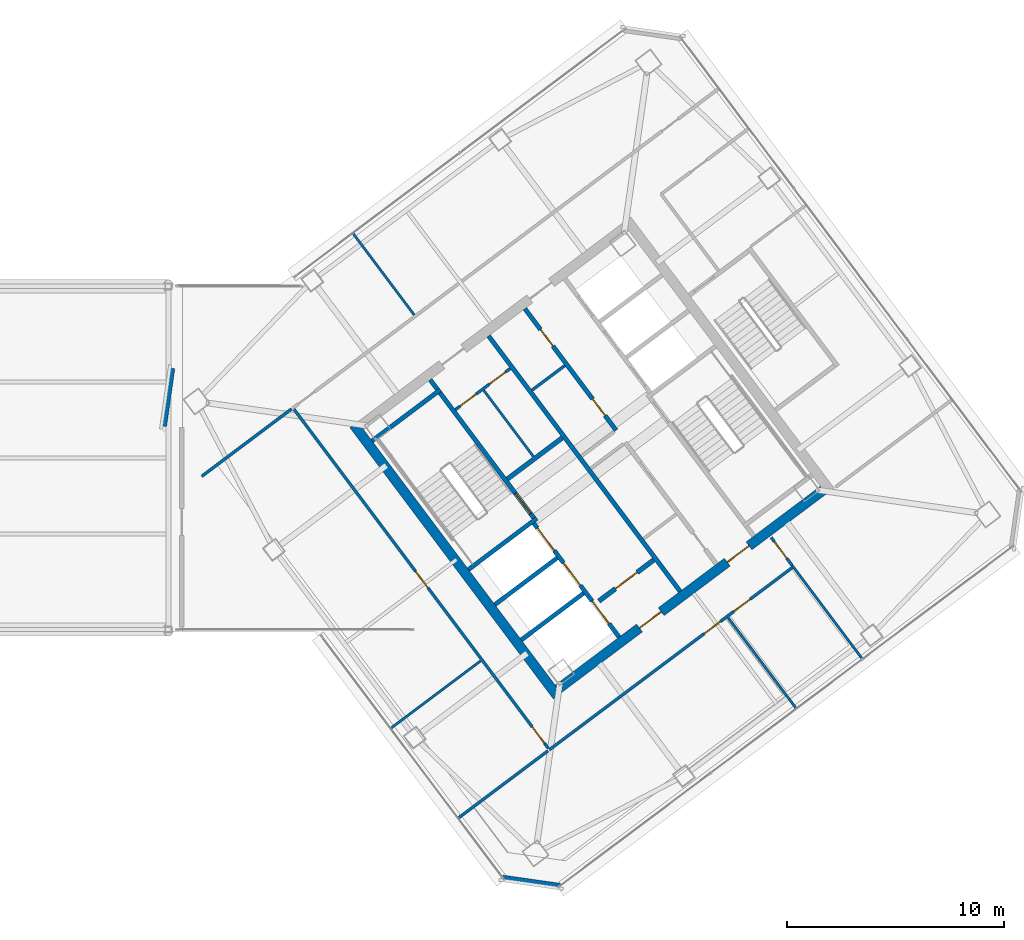
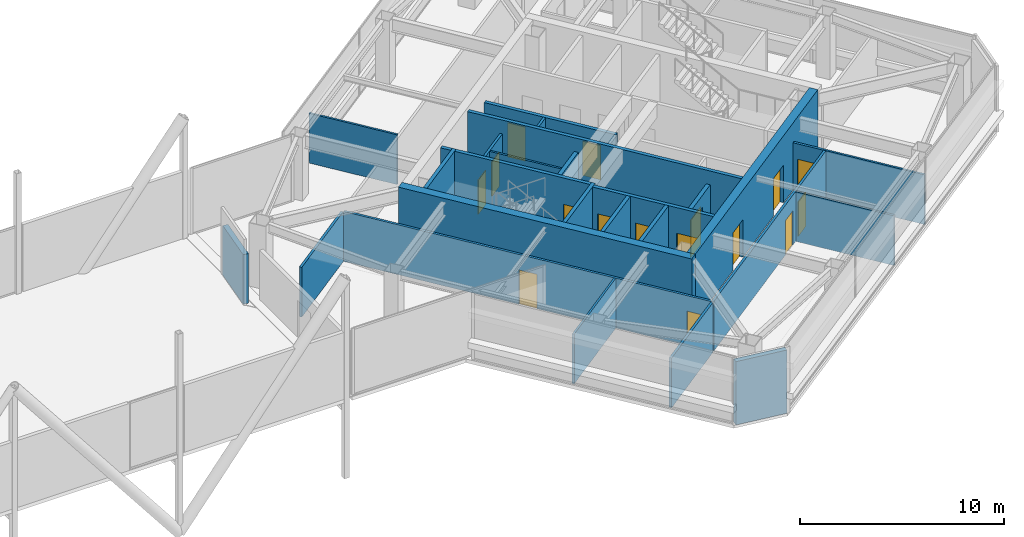
# One storey, part 44 of 53: 26 walls, 16 doors, 16 openings.
"""IFC4 building model written with IfcOpenShell, lengths in metres."""

from ifc_helpers import new_model, si_unit, direction, frame, frame_2d, origin, place, context, subcontext, project, spatial, rectangle, extrude, material, layer, layer_set, type_object, element, fill, save


model = new_model("IFC4")

# Units and contexts
model_context = context("Model", 3, precision=1e-05, world=origin(), true_north=direction((0.0, 1.0)))
body_context = subcontext(model_context, "Body", "Model", "MODEL_VIEW")
ifc_project = project(units=[si_unit("LENGTHUNIT", "METRE"), si_unit("AREAUNIT", "SQUARE_METRE"), si_unit("VOLUMEUNIT", "CUBIC_METRE"), si_unit("PLANEANGLEUNIT", "RADIAN"), si_unit("MASSUNIT", "GRAM", prefix="KILO")], contexts=[model_context])

# Site, building, storey
site_placement = place(None, origin())
site = spatial("IfcSite", under=ifc_project, at=site_placement, CompositionType="ELEMENT")
building_placement = place(site_placement, origin())
building = spatial("IfcBuilding", under=site, at=building_placement, Name="Tashvorn Skyway Center", CompositionType="ELEMENT")
storey_placement = place(building_placement, frame((0.0, 0.0, 255.39990234375)))
storey = spatial("IfcBuildingStorey", under=building, at=storey_placement, Name="L69", CompositionType="ELEMENT", Elevation=255.39990234375)

# Wall
ifc_material_1 = material(Name="Concrete C50/60", Category="concrete")
ifc_layer_1 = layer(ifc_material_1, 0.449951171875)
ifc_layer_set_1 = layer_set([ifc_layer_1], Name="Concrete C50/60")
wall_type_1 = type_object("IfcWallType", Name="WALL-CORE-450", PredefinedType="SHEAR", material=ifc_layer_set_1)
wall_1_placement = place(storey_placement, frame((112.39599609375, 21.047119140625, 0.0), z_axis=(0.0, 0.0, 1.0), x_axis=(-0.600005007985, 0.799996243986, 0.0)))
element("IfcWall", 1, at=wall_1_placement, inside=storey, type_object=wall_type_1, Name="Tower 2 L69 West Core Shear Wall", PredefinedType="SHEAR", context=body_context, shape_type="SweptSolid", body=[
    extrude(rectangle(XDim=15.60009765625, YDim=0.449951171875, at=frame_2d((7.800048828125, 0.0))), origin(), (0.0, 0.0, 1.0), 4.0),
])

# Wall, openings, doors
wall_2_placement = place(storey_placement, frame((124.64892578125, 30.51806640625, 0.0), z_axis=(0.0, 0.0, 1.0), x_axis=(-0.8, -0.6, 0.0)))
wall_2 = element("IfcWall", 2, at=wall_2_placement, inside=storey, type_object=wall_type_1, Name="Tower 2 L69 South Core Shear Wall", PredefinedType="SHEAR", context=body_context, shape_type="SweptSolid", body=[
    extrude(rectangle(XDim=15.260009765625, YDim=0.449951171875, at=frame_2d((7.6298828125, 0.0))), origin(), (0.0, 0.0, 1.0), 4.0),
])
opening_1_placement = place(wall_2_placement, frame((9.330078125, 0.0, 0.0)))
opening_1 = element("IfcOpeningElement", 3, at=opening_1_placement, cuts=wall_2, Name="Opening D-FFL-1250", PredefinedType="OPENING", context=body_context, shape_type="SweptSolid", body=[
    extrude(rectangle(XDim=1.25, YDim=2.25, at=frame_2d((0.625, 1.125))), frame((0.0, 0.23486328125, 0.0), z_axis=(0.0, -1.0, 0.0), x_axis=(1.0, 0.0, 0.0)), (0.0, 0.0, 1.0), 0.469970703125),
])
opening_2_placement = place(wall_2_placement, frame((4.280029296875, 0.0, 0.0)))
opening_2 = element("IfcOpeningElement", 4, at=opening_2_placement, cuts=wall_2, Name="Opening D-FFL-1250", PredefinedType="OPENING", context=body_context, shape_type="SweptSolid", body=[
    extrude(rectangle(XDim=1.25, YDim=2.25, at=frame_2d((0.625, 1.125))), frame((0.0, 0.23486328125, 0.0), z_axis=(0.0, -1.0, 0.0), x_axis=(1.0, 0.0, 0.0)), (0.0, 0.0, 1.0), 0.469970703125),
])
ifc_material_2 = material(Name="Hollow galvanized steel fire door assembly", Category="steel")
door_type_1 = type_object("IfcDoorType", Name="DOOR-FFL-1250", OperationType="NOTDEFINED", PredefinedType="DOOR", material=ifc_material_2)
door_1_placement = place(opening_1_placement, origin())
door_1 = element("IfcDoor", 5, at=door_1_placement, inside=storey, type_object=door_type_1, Name="Tower 2 L69 Core South Firefighting Exit Door", OperationType="SINGLE_SWING_LEFT", OverallHeight=2.25, OverallWidth=1.25, PredefinedType="DOOR", context=body_context, shape_type="SweptSolid", body=[
    extrude(rectangle(XDim=1.25, YDim=2.25, at=frame_2d((0.625, 1.125))), frame((0.0, 0.02490234375, 0.0), z_axis=(0.0, -1.0, 0.0), x_axis=(1.0, 0.0, 0.0)), (0.0, 0.0, 1.0), 0.050048828125),
])
fill(opening_1, door_1)
door_2_placement = place(opening_2_placement, origin())
door_2 = element("IfcDoor", 6, at=door_2_placement, inside=storey, type_object=door_type_1, Name="Tower 2 L69 Core South Lift Lobby Door", OperationType="SINGLE_SWING_RIGHT", OverallHeight=2.25, OverallWidth=1.25, PredefinedType="DOOR", context=body_context, shape_type="SweptSolid", body=[
    extrude(rectangle(XDim=1.25, YDim=2.25, at=frame_2d((0.625, 1.125))), frame((0.0, 0.02490234375, 0.0), z_axis=(0.0, -1.0, 0.0), x_axis=(1.0, 0.0, 0.0)), (0.0, 0.0, 1.0), 0.050048828125),
])
fill(opening_2, door_2)

# Walls
ifc_material_3 = material(Name="Precast concrete C40/50", Category="concrete")
ifc_layer_2 = layer(ifc_material_3, 0.280029296875)
ifc_layer_set_2 = layer_set([ifc_layer_2], Name="Precast concrete C40/50")
wall_type_2 = type_object("IfcWallType", Name="WALL-EXT-280", PredefinedType="SOLIDWALL", material=ifc_layer_set_2)
wall_3_placement = place(storey_placement, frame((112.5400390625, 12.280029296875, 0.0), z_axis=(0.0, 0.0, 1.0), x_axis=(-0.989956760759, 0.141370477216, 0.0)))
element("IfcWall", 7, at=wall_3_placement, inside=storey, type_object=wall_type_2, Name="Tower 2 L69 SW Precast Chamfer Wall", PredefinedType="SOLIDWALL", context=body_context, shape_type="SweptSolid", body=[
    extrude(rectangle(XDim=2.687255859375, YDim=0.280029296875, at=frame_2d((1.34375, 0.0))), origin(), (0.0, 0.0, 1.0), 3.780029296875),
])
wall_4_placement = place(storey_placement, frame((94.280029296875, 33.4599609375, 0.0), z_axis=(0.0, 0.0, 1.0), x_axis=(0.141370477216, 0.989956760759, 0.0)))
element("IfcWall", 8, at=wall_4_placement, inside=storey, type_object=wall_type_2, Name="Tower 2 L69 NW Precast Chamfer Wall", PredefinedType="SOLIDWALL", context=body_context, shape_type="SweptSolid", body=[
    extrude(rectangle(XDim=2.687255859375, YDim=0.280029296875, at=frame_2d((1.34375, 0.0))), origin(), (0.0, 0.0, 1.0), 2.960205078125),
])
ifc_material_4 = material(Name="Concrete C40/50", Category="concrete")
ifc_layer_3 = layer(ifc_material_4, 0.219970703125)
ifc_layer_set_3 = layer_set([ifc_layer_3], Name="Concrete C40/50")
wall_type_3 = type_object("IfcWallType", Name="WALL-FFL-220", PredefinedType="SOLIDWALL", material=ifc_layer_set_3)
wall_5_placement = place(storey_placement, frame((110.10400390625, 31.028076171875, 0.0), z_axis=(0.0, 0.0, 1.0), x_axis=(0.800018601094, 0.59997519774, 0.0)))
element("IfcWall", 9, at=wall_5_placement, inside=storey, type_object=wall_type_3, Name="Tower 2 L69 Firefighting Lobby North Wall", PredefinedType="SOLIDWALL", context=body_context, shape_type="SweptSolid", body=[
    extrude(rectangle(XDim=3.14990234375, YDim=0.219970703125, at=frame_2d((1.574951171875, 0.0))), origin(), (0.0, 0.0, 1.0), 2.97119140625),
])

# Wall, opening, door
wall_6_placement = place(storey_placement, frame((114.31591796875, 25.412109375, 0.0), z_axis=(0.0, 0.0, 1.0), x_axis=(0.800018601094, 0.59997519774, 0.0)))
wall_6 = element("IfcWall", 10, at=wall_6_placement, inside=storey, type_object=wall_type_3, Name="Tower 2 L69 Firefighting Lobby South Wall", PredefinedType="SOLIDWALL", context=body_context, shape_type="SweptSolid", body=[
    extrude(rectangle(XDim=3.14990234375, YDim=0.219970703125, at=frame_2d((1.574951171875, 0.0))), origin(), (0.0, 0.0, 1.0), 2.97119140625),
])
opening_3_placement = place(wall_6_placement, frame((0.949951171875, 0.0, 0.0)))
opening_3 = element("IfcOpeningElement", 11, at=opening_3_placement, cuts=wall_6, Name="Opening D-FFL-1250", PredefinedType="OPENING", context=body_context, shape_type="SweptSolid", body=[
    extrude(rectangle(XDim=1.25, YDim=2.25, at=frame_2d((0.625, 1.125))), frame((0.0, 0.119873046875, 0.0), z_axis=(0.0, -1.0, 0.0), x_axis=(1.0, 0.0, 0.0)), (0.0, 0.0, 1.0), 0.239990234375),
])
door_3_placement = place(opening_3_placement, origin())
door_3 = element("IfcDoor", 12, at=door_3_placement, inside=storey, type_object=door_type_1, Name="Tower 2 L69 Firefighting Lobby Egress Door", OperationType="SINGLE_SWING_LEFT", OverallHeight=2.25, OverallWidth=1.25, PredefinedType="DOOR", context=body_context, shape_type="SweptSolid", body=[
    extrude(rectangle(XDim=1.25, YDim=2.25, at=frame_2d((0.625, 1.125))), frame((0.0, 0.02490234375, 0.0), z_axis=(0.0, -1.0, 0.0), x_axis=(1.0, 0.0, 0.0)), (0.0, 0.0, 1.0), 0.050048828125),
])
fill(opening_3, door_3)

# Walls
ifc_material_5 = material(Name="Gypsum board on cold-formed steel stud framing", Category="steel")
ifc_layer_4 = layer(ifc_material_5, 0.110107421875)
ifc_layer_set_4 = layer_set([ifc_layer_4], Name="Gypsum board on cold-formed steel stud framing")
wall_type_4 = type_object("IfcWallType", Name="WALL-PART-110", PredefinedType="PARTITIONING", material=ifc_layer_set_4)
wall_7_placement = place(storey_placement, frame((105.81201171875, 38.583984375, 0.0), z_axis=(0.0, 0.0, 1.0), x_axis=(-0.600008311051, 0.799993766644, 0.0)))
element("IfcWall", 13, at=wall_7_placement, inside=storey, type_object=wall_type_4, Name="Tower 2 L69 North Suite Partition 1", PredefinedType="PARTITIONING", context=body_context, shape_type="SweptSolid", body=[
    extrude(rectangle(XDim=4.699951171875, YDim=0.110107421875, at=frame_2d((2.35009765625, 0.0))), origin(), (0.0, 0.0, 1.0), 2.97119140625),
])
wall_8_placement = place(storey_placement, frame((123.407958984375, 20.4560546875, 0.0), z_axis=(0.0, 0.0, 1.0), x_axis=(-0.60000746914, 0.79999439809, 0.0)))
element("IfcWall", 14, at=wall_8_placement, inside=storey, type_object=wall_type_4, Name="Tower 2 L69 South Suite Partition 1", PredefinedType="PARTITIONING", context=body_context, shape_type="SweptSolid", body=[
    extrude(rectangle(XDim=5.229736328125, YDim=0.110107421875, at=frame_2d((2.61474609375, 0.0))), origin(), (0.0, 0.0, 1.0), 2.97119140625),
])
wall_9_placement = place(storey_placement, frame((126.447998046875, 22.736083984375, 0.0), z_axis=(0.0, 0.0, 1.0), x_axis=(-0.59998550531, 0.800010870812, 0.0)))
element("IfcWall", 15, at=wall_9_placement, inside=storey, type_object=wall_type_4, Name="Tower 2 L69 South-East Suite Wall", PredefinedType="PARTITIONING", context=body_context, shape_type="SweptSolid", body=[
    extrude(rectangle(XDim=5.389892578125, YDim=0.110107421875, at=frame_2d((2.69482421875, 0.0))), origin(), (0.0, 0.0, 1.0), 2.97119140625),
])
wall_10_placement = place(storey_placement, frame((104.736083984375, 19.552001953125, 0.0), z_axis=(0.0, 0.0, 1.0), x_axis=(0.799994333279, 0.600007555554, 0.0)))
element("IfcWall", 16, at=wall_10_placement, inside=storey, type_object=wall_type_4, Name="Tower 2 L69 West Suite Partition 1", PredefinedType="PARTITIONING", context=body_context, shape_type="SweptSolid", body=[
    extrude(rectangle(XDim=5.169921875, YDim=0.110107421875, at=frame_2d((2.5849609375, 0.0))), origin(), (0.0, 0.0, 1.0), 2.97119140625),
])

# Wall, openings, doors
ifc_layer_5 = layer(ifc_material_5, 0.135009765625)
ifc_layer_set_5 = layer_set([ifc_layer_5], Name="Gypsum board on cold-formed steel stud framing")
wall_type_5 = type_object("IfcWallType", Name="WALL-PART-135", PredefinedType="PARTITIONING", material=ifc_layer_set_5)
wall_11_placement = place(storey_placement, frame((123.261962890625, 26.98388671875, 0.0), z_axis=(0.0, 0.0, 1.0), x_axis=(-0.799997911818, -0.600002784232, 0.0)))
wall_11 = element("IfcWall", 17, at=wall_11_placement, inside=storey, type_object=wall_type_5, Name="Tower 2 L69 South Suite Wall", PredefinedType="PARTITIONING", context=body_context, shape_type="SweptSolid", body=[
    extrude(rectangle(XDim=14.02978515625, YDim=0.135009765625, at=frame_2d((7.014892578125, 0.0))), origin(), (0.0, 0.0, 1.0), 2.97119140625),
])
opening_4_placement = place(wall_11_placement, frame((4.179931640625, 0.0, 0.0)))
opening_4 = element("IfcOpeningElement", 18, at=opening_4_placement, cuts=wall_11, Name="Opening D-INT-950", PredefinedType="OPENING", context=body_context, shape_type="SweptSolid", body=[
    extrude(rectangle(XDim=0.949951171875, YDim=2.050048828125, at=frame_2d((0.47509765625, 1.02490234375))), frame((0.0, 0.077392578125, 0.0), z_axis=(0.0, -1.0, 0.0), x_axis=(1.0, 0.0, 0.0)), (0.0, 0.0, 1.0), 0.155029296875),
])
opening_5_placement = place(wall_11_placement, frame((2.469970703125, 0.0, 0.0)))
opening_5 = element("IfcOpeningElement", 19, at=opening_5_placement, cuts=wall_11, Name="Opening D-INT-950", PredefinedType="OPENING", context=body_context, shape_type="SweptSolid", body=[
    extrude(rectangle(XDim=0.949951171875, YDim=2.050048828125, at=frame_2d((0.47509765625, 1.02490234375))), frame((0.0, 0.077392578125, 0.0), z_axis=(0.0, -1.0, 0.0), x_axis=(1.0, 0.0, 0.0)), (0.0, 0.0, 1.0), 0.155029296875),
])
ifc_material_6 = material(Name="Solid-core architectural oak veneer door")
door_type_2 = type_object("IfcDoorType", Name="DOOR-INT-950", OperationType="NOTDEFINED", PredefinedType="DOOR", material=ifc_material_6)
door_4_placement = place(opening_4_placement, origin())
door_4 = element("IfcDoor", 20, at=door_4_placement, inside=storey, type_object=door_type_2, Name="Tower 2 L69 Open Plan Office Door", OperationType="SINGLE_SWING_LEFT", OverallHeight=2.050048828125, OverallWidth=0.949951171875, PredefinedType="DOOR", context=body_context, shape_type="SweptSolid", body=[
    extrude(rectangle(XDim=0.949951171875, YDim=2.050048828125, at=frame_2d((0.47509765625, 1.02490234375))), frame((0.0, 0.02490234375, 0.0), z_axis=(0.0, -1.0, 0.0), x_axis=(1.0, 0.0, 0.0)), (0.0, 0.0, 1.0), 0.050048828125),
])
fill(opening_4, door_4)
door_5_placement = place(opening_5_placement, origin())
door_5 = element("IfcDoor", 21, at=door_5_placement, inside=storey, type_object=door_type_2, Name="Tower 2 L69 Boardroom Door", OperationType="SINGLE_SWING_RIGHT", OverallHeight=2.050048828125, OverallWidth=0.949951171875, PredefinedType="DOOR", context=body_context, shape_type="SweptSolid", body=[
    extrude(rectangle(XDim=0.949951171875, YDim=2.050048828125, at=frame_2d((0.47509765625, 1.02490234375))), frame((0.0, 0.02490234375, 0.0), z_axis=(0.0, -1.0, 0.0), x_axis=(1.0, 0.0, 0.0)), (0.0, 0.0, 1.0), 0.050048828125),
])
fill(opening_5, door_5)

# Wall, opening, door
wall_12_placement = place(storey_placement, frame((122.248046875, 28.3359375, 0.0), z_axis=(0.0, 0.0, 1.0), x_axis=(0.600072788757, -0.799945403258, 0.0)))
wall_12 = element("IfcWall", 22, at=wall_12_placement, inside=storey, type_object=wall_type_5, Name="Tower 2 L69 South Gallery End Wall", PredefinedType="PARTITIONING", context=body_context, shape_type="SweptSolid", body=[
    extrude(rectangle(XDim=1.60986328125, YDim=0.135009765625, at=frame_2d((0.804931640625, 0.0))), origin(), (0.0, 0.0, 1.0), 2.97119140625),
])
opening_6_placement = place(wall_12_placement, frame((0.25, 0.0, 0.0)))
opening_6 = element("IfcOpeningElement", 23, at=opening_6_placement, cuts=wall_12, Name="Opening D-INT-950", PredefinedType="OPENING", context=body_context, shape_type="SweptSolid", body=[
    extrude(rectangle(XDim=0.949951171875, YDim=2.050048828125, at=frame_2d((0.47509765625, 1.02490234375))), frame((0.0, 0.077392578125, 0.0), z_axis=(0.0, -1.0, 0.0), x_axis=(1.0, 0.0, 0.0)), (0.0, 0.0, 1.0), 0.155029296875),
])
door_6_placement = place(opening_6_placement, origin())
door_6 = element("IfcDoor", 24, at=door_6_placement, inside=storey, type_object=door_type_2, Name="Tower 2 L69 Executive Study Lounge Door", OperationType="SINGLE_SWING_LEFT", OverallHeight=2.050048828125, OverallWidth=0.949951171875, PredefinedType="DOOR", context=body_context, shape_type="SweptSolid", body=[
    extrude(rectangle(XDim=0.949951171875, YDim=2.050048828125, at=frame_2d((0.47509765625, 1.02490234375))), frame((0.0, 0.02490234375, 0.0), z_axis=(0.0, -1.0, 0.0), x_axis=(1.0, 0.0, 0.0)), (0.0, 0.0, 1.0), 0.050048828125),
])
fill(opening_6, door_6)

# Wall, openings, doors
wall_13_placement = place(storey_placement, frame((111.989990234375, 18.6298828125, 0.0), z_axis=(0.0, 0.0, 1.0), x_axis=(-0.599997997836, 0.800001501619, 0.0)))
wall_13 = element("IfcWall", 25, at=wall_13_placement, inside=storey, type_object=wall_type_5, Name="Tower 2 L69 West Inner Suite Wall", PredefinedType="PARTITIONING", context=body_context, shape_type="SweptSolid", body=[
    extrude(rectangle(XDim=19.51025390625, YDim=0.135009765625, at=frame_2d((9.755126953125, 0.0))), origin(), (0.0, 0.0, 1.0), 2.97119140625),
])
opening_7_placement = place(wall_13_placement, frame((0.300048828125, 0.0, 0.0)))
opening_7 = element("IfcOpeningElement", 26, at=opening_7_placement, cuts=wall_13, Name="Opening D-INT-950", PredefinedType="OPENING", context=body_context, shape_type="SweptSolid", body=[
    extrude(rectangle(XDim=0.949951171875, YDim=2.050048828125, at=frame_2d((0.47509765625, 1.02490234375))), frame((0.0, 0.077392578125, 0.0), z_axis=(0.0, -1.0, 0.0), x_axis=(1.0, 0.0, 0.0)), (0.0, 0.0, 1.0), 0.155029296875),
])
opening_8_placement = place(wall_13_placement, frame((9.231689453125, 0.0, 0.0)))
opening_8 = element("IfcOpeningElement", 27, at=opening_8_placement, cuts=wall_13, Name="Opening D-INT-950", PredefinedType="OPENING", context=body_context, shape_type="SweptSolid", body=[
    extrude(rectangle(XDim=0.949951171875, YDim=2.050048828125, at=frame_2d((0.47509765625, 1.02490234375))), frame((0.0, 0.077392578125, 0.0), z_axis=(0.0, -1.0, 0.0), x_axis=(1.0, 0.0, 0.0)), (0.0, 0.0, 1.0), 0.155029296875),
])
door_7_placement = place(opening_7_placement, origin())
door_7 = element("IfcDoor", 28, at=door_7_placement, inside=storey, type_object=door_type_2, Name="Tower 2 L69 Breakout Lounge Door", OperationType="SINGLE_SWING_RIGHT", OverallHeight=2.050048828125, OverallWidth=0.949951171875, PredefinedType="DOOR", context=body_context, shape_type="SweptSolid", body=[
    extrude(rectangle(XDim=0.949951171875, YDim=2.050048828125, at=frame_2d((0.47509765625, 1.02490234375))), frame((0.0, 0.02490234375, 0.0), z_axis=(0.0, -1.0, 0.0), x_axis=(1.0, 0.0, 0.0)), (0.0, 0.0, 1.0), 0.050048828125),
])
fill(opening_7, door_7)
door_8_placement = place(opening_8_placement, origin())
door_8 = element("IfcDoor", 29, at=door_8_placement, inside=storey, type_object=door_type_2, Name="Tower 2 L69 Open Plan Office Door", OperationType="SINGLE_SWING_LEFT", OverallHeight=2.050048828125, OverallWidth=0.949951171875, PredefinedType="DOOR", context=body_context, shape_type="SweptSolid", body=[
    extrude(rectangle(XDim=0.949951171875, YDim=2.050048828125, at=frame_2d((0.47509765625, 1.02490234375))), frame((0.0, 0.02490234375, 0.0), z_axis=(0.0, -1.0, 0.0), x_axis=(1.0, 0.0, 0.0)), (0.0, 0.0, 1.0), 0.050048828125),
])
fill(opening_8, door_8)

# Walls
for number, where, z_axis, x_axis, name in (
    (30, (100.172119140625, 34.25390625, 0.0), (0.0, 0.0, 1.0), (-0.800033998508, -0.59995466598, 0.0), "Tower 2 L69 West Suite North Wall"),
    (31, (107.837890625, 15.416015625, 0.0), (0.0, 0.0, 1.0), (0.8000113328, 0.599984889302, 0.0), "Tower 2 L69 West Suite South Wall"),
):
    element("IfcWall", number, at=place(storey_placement, frame(where, z_axis=z_axis, x_axis=x_axis)), inside=storey, type_object=wall_type_5, Name=name, PredefinedType="PARTITIONING", context=body_context, shape_type="SweptSolid", body=[
        extrude(rectangle(XDim=5.170166015625, YDim=0.135009765625, at=frame_2d((2.5849609375, 0.0))), origin(), (0.0, 0.0, 1.0), 2.97119140625),
    ])
ifc_layer_6 = layer(ifc_material_5, 0.110107421875)
ifc_layer_set_6 = layer_set([ifc_layer_6], Name="Gypsum board on cold-formed steel stud framing")
wall_type_6 = type_object("IfcWallType", Name="WALL-RATED-110", PredefinedType="PARTITIONING", material=ifc_layer_set_6)
wall_14_placement = place(storey_placement, frame((111.2958984375, 32.072021484375, 0.0), z_axis=(0.0, 0.0, 1.0), x_axis=(-0.59995887973, 0.800030838552, 0.0)))
element("IfcWall", 32, at=wall_14_placement, inside=storey, type_object=wall_type_6, Name="Tower 2 L69 Core Split Partition", PredefinedType="PARTITIONING", context=body_context, shape_type="SweptSolid", body=[
    extrude(rectangle(XDim=3.7998046875, YDim=0.110107421875, at=frame_2d((1.89990234375, 0.0))), origin(), (0.0, 0.0, 1.0), 2.97119140625),
])

# Wall, openings, doors
ifc_layer_7 = layer(ifc_material_5, 0.135009765625)
ifc_layer_set_7 = layer_set([ifc_layer_7], Name="Gypsum board on cold-formed steel stud framing")
wall_type_7 = type_object("IfcWallType", Name="WALL-RATED-135", PredefinedType="PARTITIONING", material=ifc_layer_set_7)
wall_15_placement = place(storey_placement, frame((107.7099609375, 34.219970703125, 0.0), z_axis=(0.0, 0.0, 1.0), x_axis=(0.799981399002, 0.60002480053, 0.0)))
wall_15 = element("IfcWall", 33, at=wall_15_placement, inside=storey, type_object=wall_type_7, Name="Tower 2 L69 Core Service Lobby Wall", PredefinedType="PARTITIONING", context=body_context, shape_type="SweptSolid", body=[
    extrude(rectangle(XDim=3.150146484375, YDim=0.135009765625, at=frame_2d((1.5751953125, 0.0))), origin(), (0.0, 0.0, 1.0), 2.97119140625),
])
opening_9_placement = place(wall_15_placement, frame((0.25, 0.0, 0.0)))
opening_9 = element("IfcOpeningElement", 34, at=opening_9_placement, cuts=wall_15, Name="Opening D-RT-950", PredefinedType="OPENING", context=body_context, shape_type="SweptSolid", body=[
    extrude(rectangle(XDim=0.949951171875, YDim=2.050048828125, at=frame_2d((0.47509765625, 1.02490234375))), frame((0.0, 0.077392578125, 0.0), z_axis=(0.0, -1.0, 0.0), x_axis=(1.0, 0.0, 0.0)), (0.0, 0.0, 1.0), 0.155029296875),
])
opening_10_placement = place(wall_15_placement, frame((1.949951171875, 0.0, 0.0)))
opening_10 = element("IfcOpeningElement", 35, at=opening_10_placement, cuts=wall_15, Name="Opening D-RT-950", PredefinedType="OPENING", context=body_context, shape_type="SweptSolid", body=[
    extrude(rectangle(XDim=0.949951171875, YDim=2.050048828125, at=frame_2d((0.47509765625, 1.02490234375))), frame((0.0, 0.077392578125, 0.0), z_axis=(0.0, -1.0, 0.0), x_axis=(1.0, 0.0, 0.0)), (0.0, 0.0, 1.0), 0.155029296875),
])
door_type_3 = type_object("IfcDoorType", Name="DOOR-RATED-950", OperationType="NOTDEFINED", PredefinedType="DOOR", material=ifc_material_2)
door_9_placement = place(opening_9_placement, origin())
door_9 = element("IfcDoor", 36, at=door_9_placement, inside=storey, type_object=door_type_3, Name="Tower 2 L69 Core Accessible WC Door", OperationType="SINGLE_SWING_LEFT", OverallHeight=2.050048828125, OverallWidth=0.949951171875, PredefinedType="DOOR", context=body_context, shape_type="SweptSolid", body=[
    extrude(rectangle(XDim=0.949951171875, YDim=2.050048828125, at=frame_2d((0.47509765625, 1.02490234375))), frame((0.0, 0.02490234375, 0.0), z_axis=(0.0, -1.0, 0.0), x_axis=(1.0, 0.0, 0.0)), (0.0, 0.0, 1.0), 0.050048828125),
])
fill(opening_9, door_9)
door_10_placement = place(opening_10_placement, origin())
door_10 = element("IfcDoor", 37, at=door_10_placement, inside=storey, type_object=door_type_3, Name="Tower 2 L69 Core Cleaner Store Door", OperationType="SINGLE_SWING_RIGHT", OverallHeight=2.050048828125, OverallWidth=0.949951171875, PredefinedType="DOOR", context=body_context, shape_type="SweptSolid", body=[
    extrude(rectangle(XDim=0.949951171875, YDim=2.050048828125, at=frame_2d((0.47509765625, 1.02490234375))), frame((0.0, 0.02490234375, 0.0), z_axis=(0.0, -1.0, 0.0), x_axis=(1.0, 0.0, 0.0)), (0.0, 0.0, 1.0), 0.050048828125),
])
fill(opening_10, door_10)

# Walls
wall_16_placement = place(storey_placement, frame((111.24609375, 35.1220703125, 0.0), z_axis=(0.0, 0.0, 1.0), x_axis=(0.8, 0.6, 0.0)))
element("IfcWall", 38, at=wall_16_placement, inside=storey, type_object=wall_type_7, Name="Tower 2 L69 Freed Mid-Rise Partition", PredefinedType="PARTITIONING", context=body_context, shape_type="SweptSolid", body=[
    extrude(rectangle(XDim=1.8798828125, YDim=0.135009765625, at=frame_2d((0.93994140625, 0.0))), origin(), (0.0, 0.0, 1.0), 2.97119140625),
])
ifc_layer_8 = layer(ifc_material_4, 0.199951171875)
ifc_layer_set_8 = layer_set([ifc_layer_8], Name="Concrete C40/50")
wall_type_8 = type_object("IfcWallType", Name="WALL-SHAFT-200", PredefinedType="SOLIDWALL", material=ifc_layer_set_8)
for number, where, z_axis, x_axis, name in (
    (39, (110.74609375, 23.6220703125, 0.0), (0.0, 0.0, 1.0), (0.800008183455, 0.599989088572, 0.0), "Tower 2 L69 FSAE Shaft Divider"),
    (40, (109.528076171875, 25.24609375, 0.0), (0.0, 0.0, 1.0), (0.800008183455, 0.599989088572, 0.0), "Tower 2 L69 FSAE Shaft Divider"),
):
    element("IfcWall", number, at=place(storey_placement, frame(where, z_axis=z_axis, x_axis=x_axis)), inside=storey, type_object=wall_type_8, Name=name, PredefinedType="SOLIDWALL", context=body_context, shape_type="SweptSolid", body=[
        extrude(rectangle(XDim=3.580078125, YDim=0.199951171875, at=frame_2d((1.7900390625, 0.0))), origin(), (0.0, 0.0, 1.0), 3.780029296875),
    ])

# Wall, openings, doors
wall_17_placement = place(storey_placement, frame((115.110107421875, 33.27001953125, 0.0), z_axis=(0.0, 0.0, 1.0), x_axis=(-0.600011160345, 0.79999162962, 0.0)))
wall_17 = element("IfcWall", 41, at=wall_17_placement, inside=storey, type_object=wall_type_8, Name="Tower 2 L69 Mid-Rise Core Wall", PredefinedType="SOLIDWALL", context=body_context, shape_type="SweptSolid", body=[
    extrude(rectangle(XDim=7.000244140625, YDim=0.199951171875, at=frame_2d((3.5, 0.0))), origin(), (0.0, 0.0, 1.0), 2.97119140625),
])
opening_11_placement = place(wall_17_placement, frame((0.85009765625, 0.0, 0.0)))
opening_11 = element("IfcOpeningElement", 42, at=opening_11_placement, cuts=wall_17, Name="Opening D-RT-950", PredefinedType="OPENING", context=body_context, shape_type="SweptSolid", body=[
    extrude(rectangle(XDim=0.949951171875, YDim=2.050048828125, at=frame_2d((0.47509765625, 1.02490234375))), frame((0.0, 0.10986328125, 0.0), z_axis=(0.0, -1.0, 0.0), x_axis=(1.0, 0.0, 0.0)), (0.0, 0.0, 1.0), 0.219970703125),
])
opening_12_placement = place(wall_17_placement, frame((4.85009765625, 0.0, 0.0)))
opening_12 = element("IfcOpeningElement", 43, at=opening_12_placement, cuts=wall_17, Name="Opening D-RT-950", PredefinedType="OPENING", context=body_context, shape_type="SweptSolid", body=[
    extrude(rectangle(XDim=0.949951171875, YDim=2.050048828125, at=frame_2d((0.47509765625, 1.02490234375))), frame((0.0, 0.10986328125, 0.0), z_axis=(0.0, -1.0, 0.0), x_axis=(1.0, 0.0, 0.0)), (0.0, 0.0, 1.0), 0.219970703125),
])
door_11_placement = place(opening_11_placement, origin())
door_11 = element("IfcDoor", 44, at=door_11_placement, inside=storey, type_object=door_type_3, Name="Tower 2 L69 Core IT Room Door", OperationType="SINGLE_SWING_RIGHT", OverallHeight=2.050048828125, OverallWidth=0.949951171875, PredefinedType="DOOR", context=body_context, shape_type="SweptSolid", body=[
    extrude(rectangle(XDim=0.949951171875, YDim=2.050048828125, at=frame_2d((0.47509765625, 1.02490234375))), frame((0.0, 0.02490234375, 0.0), z_axis=(0.0, -1.0, 0.0), x_axis=(1.0, 0.0, 0.0)), (0.0, 0.0, 1.0), 0.050048828125),
])
fill(opening_11, door_11)
door_12_placement = place(opening_12_placement, origin())
door_12 = element("IfcDoor", 45, at=door_12_placement, inside=storey, type_object=door_type_3, Name="Tower 2 L69 Core Catering Pantry Door", OperationType="SINGLE_SWING_LEFT", OverallHeight=2.050048828125, OverallWidth=0.949951171875, PredefinedType="DOOR", context=body_context, shape_type="SweptSolid", body=[
    extrude(rectangle(XDim=0.949951171875, YDim=2.050048828125, at=frame_2d((0.47509765625, 1.02490234375))), frame((0.0, 0.02490234375, 0.0), z_axis=(0.0, -1.0, 0.0), x_axis=(1.0, 0.0, 0.0)), (0.0, 0.0, 1.0), 0.050048828125),
])
fill(opening_12, door_12)

# Wall, opening, door
ifc_layer_9 = layer(ifc_material_4, 0.199951171875)
ifc_layer_set_9 = layer_set([ifc_layer_9], Name="Concrete C40/50")
wall_type_9 = type_object("IfcWallType", Name="WALL-STSHF-200", PredefinedType="SHEAR", material=ifc_layer_set_9)
wall_18_placement = place(storey_placement, frame((111.43994140625, 29.080078125, 0.0), z_axis=(0.0, 0.0, 1.0), x_axis=(-0.59999041401, 0.800007189403, 0.0)))
wall_18 = element("IfcWall", 46, at=wall_18_placement, inside=storey, type_object=wall_type_9, Name="Tower 2 L69 Stair 1 Enclosure Wall", PredefinedType="SHEAR", context=body_context, shape_type="SweptSolid", body=[
    extrude(rectangle(XDim=8.14990234375, YDim=0.199951171875, at=frame_2d((4.074951171875, 0.0))), origin(), (0.0, 0.0, 1.0), 3.780029296875),
])
opening_13_placement = place(wall_18_placement, frame((0.449951171875, 0.0, 0.0)))
opening_13 = element("IfcOpeningElement", 47, at=opening_13_placement, cuts=wall_18, Name="Opening D-ST-1150", PredefinedType="OPENING", context=body_context, shape_type="SweptSolid", body=[
    extrude(rectangle(XDim=1.14990234375, YDim=2.199951171875, at=frame_2d((0.574951171875, 1.10009765625))), frame((0.0, 0.10986328125, 0.0), z_axis=(0.0, -1.0, 0.0), x_axis=(1.0, 0.0, 0.0)), (0.0, 0.0, 1.0), 0.219970703125),
])
door_type_4 = type_object("IfcDoorType", Name="DOOR-STAIR-1150", OperationType="NOTDEFINED", PredefinedType="DOOR", material=ifc_material_2)
door_13_placement = place(opening_13_placement, origin())
door_13 = element("IfcDoor", 48, at=door_13_placement, inside=storey, type_object=door_type_4, Name="Tower 2 L69 Exit Stair 1 Door", OperationType="SINGLE_SWING_RIGHT", OverallHeight=2.199951171875, OverallWidth=1.14990234375, PredefinedType="DOOR", context=body_context, shape_type="SweptSolid", body=[
    extrude(rectangle(XDim=1.14990234375, YDim=2.199951171875, at=frame_2d((0.574951171875, 1.10009765625))), frame((0.0, 0.02490234375, 0.0), z_axis=(0.0, -1.0, 0.0), x_axis=(1.0, 0.0, 0.0)), (0.0, 0.0, 1.0), 0.050048828125),
])
fill(opening_13, door_13)

# Walls
for number, where, z_axis, x_axis, name in (
    (49, (108.31591796875, 26.862060546875, 0.0), (0.0, 0.0, 1.0), (0.800014909178, 0.599980120581, 0.0), "Tower 2 L69 Stair 1 South Wall"),
    (50, (103.8759765625, 32.781982421875, 0.0), (0.0, 0.0, 1.0), (0.800014909178, 0.599980120581, 0.0), "Tower 2 L69 Stair 1 North Wall"),
):
    element("IfcWall", number, at=place(storey_placement, frame(where, z_axis=z_axis, x_axis=x_axis)), inside=storey, type_object=wall_type_9, Name=name, PredefinedType="SHEAR", context=body_context, shape_type="SweptSolid", body=[
        extrude(rectangle(XDim=3.929931640625, YDim=0.199951171875, at=frame_2d((1.96484375, 0.0))), origin(), (0.0, 0.0, 1.0), 3.780029296875),
    ])
wall_19_placement = place(storey_placement, frame((118.05810546875, 25.85595703125, 0.0), z_axis=(0.0, 0.0, 1.0), x_axis=(-0.600002657301, 0.799998007018, 0.0)))
element("IfcWall", 51, at=wall_19_placement, inside=storey, type_object=wall_type_9, Name="Tower 2 L69 Firefighting Lobby East Smoke Barrier", PredefinedType="SHEAR", context=body_context, shape_type="SweptSolid", body=[
    extrude(rectangle(XDim=14.699951171875, YDim=0.199951171875, at=frame_2d((7.35009765625, 0.0))), origin(), (0.0, 0.0, 1.0), 3.780029296875),
])

# Wall, openings, doors
wall_20_placement = place(storey_placement, frame((115.25, 23.75, 0.0), z_axis=(0.0, 0.0, 1.0), x_axis=(-0.599994036198, 0.800004472816, 0.0)))
wall_20 = element("IfcWall", 52, at=wall_20_placement, inside=storey, type_object=wall_type_9, Name="Tower 2 L69 FSAE and Goods Shaft Front Wall", PredefinedType="SHEAR", context=body_context, shape_type="SweptSolid", body=[
    extrude(rectangle(XDim=6.550048828125, YDim=0.199951171875, at=frame_2d((3.27490234375, 0.0))), origin(), (0.0, 0.0, 1.0), 3.780029296875),
])
opening_14_placement = place(wall_20_placement, frame((4.97509765625, 0.0, 0.0)))
opening_14 = element("IfcOpeningElement", 53, at=opening_14_placement, cuts=wall_20, Name="Opening LD-FF-T2-1-L69", PredefinedType="OPENING", context=body_context, shape_type="SweptSolid", body=[
    extrude(rectangle(XDim=1.300048828125, YDim=2.25, at=frame_2d((0.64990234375, 1.125))), frame((0.0, 0.10986328125, 0.0), z_axis=(0.0, -1.0, 0.0), x_axis=(1.0, 0.0, 0.0)), (0.0, 0.0, 1.0), 0.219970703125),
])
opening_15_placement = place(wall_20_placement, frame((2.97509765625, 0.0, 0.0)))
opening_15 = element("IfcOpeningElement", 54, at=opening_15_placement, cuts=wall_20, Name="Opening LD-FF-T2-2-L69", PredefinedType="OPENING", context=body_context, shape_type="SweptSolid", body=[
    extrude(rectangle(XDim=1.300048828125, YDim=2.25, at=frame_2d((0.64990234375, 1.125))), frame((0.0, 0.10986328125, 0.0), z_axis=(0.0, -1.0, 0.0), x_axis=(1.0, 0.0, 0.0)), (0.0, 0.0, 1.0), 0.219970703125),
])
opening_16_placement = place(wall_20_placement, frame((0.77490234375, 0.0, 0.0)))
opening_16 = element("IfcOpeningElement", 55, at=opening_16_placement, cuts=wall_20, Name="Opening LD-GD-T2-1-L69", PredefinedType="OPENING", context=body_context, shape_type="SweptSolid", body=[
    extrude(rectangle(XDim=1.300048828125, YDim=2.25, at=frame_2d((0.64990234375, 1.125))), frame((0.0, 0.10986328125, 0.0), z_axis=(0.0, -1.0, 0.0), x_axis=(1.0, 0.0, 0.0)), (0.0, 0.0, 1.0), 0.219970703125),
])
ifc_material_7 = material(Name="Stainless steel heavy-duty landing door", Category="steel")
door_type_5 = type_object("IfcDoorType", Name="DOOR-LIFT-1300", OperationType="SLIDING_TO_LEFT", PredefinedType="DOOR", material=ifc_material_7)
door_14_placement = place(opening_14_placement, origin())
door_14 = element("IfcDoor", 56, at=door_14_placement, inside=storey, type_object=door_type_5, Name="Lift FF-T2-1 L69 Landing Door", OperationType="SLIDING_TO_LEFT", OverallHeight=2.25, OverallWidth=1.300048828125, PredefinedType="DOOR", context=body_context, shape_type="SweptSolid", body=[
    extrude(rectangle(XDim=1.300048828125, YDim=2.25, at=frame_2d((0.64990234375, 1.125))), frame((0.0, 0.02490234375, 0.0), z_axis=(0.0, -1.0, 0.0), x_axis=(1.0, 0.0, 0.0)), (0.0, 0.0, 1.0), 0.050048828125),
])
fill(opening_14, door_14)
door_15_placement = place(opening_15_placement, origin())
door_15 = element("IfcDoor", 57, at=door_15_placement, inside=storey, type_object=door_type_5, Name="Lift FF-T2-2 L69 Landing Door", OperationType="SLIDING_TO_LEFT", OverallHeight=2.25, OverallWidth=1.300048828125, PredefinedType="DOOR", context=body_context, shape_type="SweptSolid", body=[
    extrude(rectangle(XDim=1.300048828125, YDim=2.25, at=frame_2d((0.64990234375, 1.125))), frame((0.0, 0.02490234375, 0.0), z_axis=(0.0, -1.0, 0.0), x_axis=(1.0, 0.0, 0.0)), (0.0, 0.0, 1.0), 0.050048828125),
])
fill(opening_15, door_15)
door_16_placement = place(opening_16_placement, origin())
door_16 = element("IfcDoor", 58, at=door_16_placement, inside=storey, type_object=door_type_5, Name="Lift GD-T2-1 L69 Landing Door", OperationType="SLIDING_TO_LEFT", OverallHeight=2.25, OverallWidth=1.300048828125, PredefinedType="DOOR", context=body_context, shape_type="SweptSolid", body=[
    extrude(rectangle(XDim=1.300048828125, YDim=2.25, at=frame_2d((0.64990234375, 1.125))), frame((0.0, 0.02490234375, 0.0), z_axis=(0.0, -1.0, 0.0), x_axis=(1.0, 0.0, 0.0)), (0.0, 0.0, 1.0), 0.050048828125),
])
fill(opening_16, door_16)

save(model, "model.ifc")
